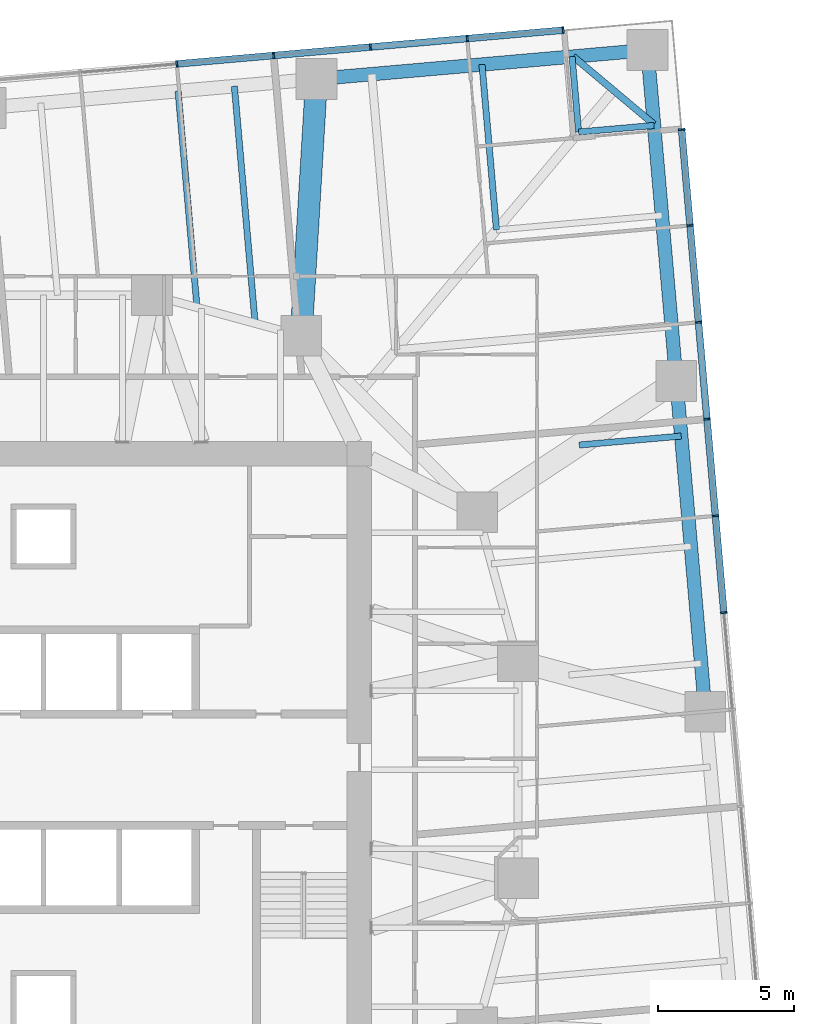
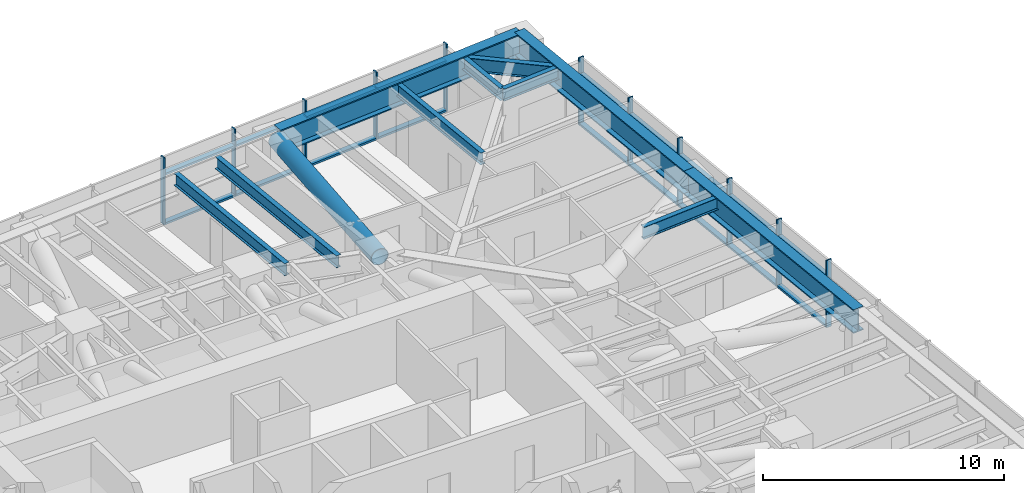
# One storey, part 8 of 18: 30 members, 10 beams, 2 elements without a shape of their own.
"""IFC4 building model written with IfcOpenShell, lengths in metres."""

from ifc_helpers import new_model, si_unit, direction, frame, origin, origin_2d, place, context, subcontext, project, spatial, rectangle, hollow_circle, i_section, extrude, material, material_profile, profile_set, type_object, element, aggregate, save


model = new_model("IFC4")

# Units and contexts
model_context = context("Model", 3, precision=1e-05, world=origin(), true_north=direction((0.0, 1.0)))
body_context = subcontext(model_context, "Body", "Model", "MODEL_VIEW")
ifc_project = project(units=[si_unit("LENGTHUNIT", "METRE"), si_unit("AREAUNIT", "SQUARE_METRE"), si_unit("VOLUMEUNIT", "CUBIC_METRE"), si_unit("PLANEANGLEUNIT", "RADIAN"), si_unit("MASSUNIT", "GRAM", prefix="KILO")], contexts=[model_context])

# Site, building, storey
site_placement = place(None, origin())
site = spatial("IfcSite", under=ifc_project, at=site_placement, CompositionType="ELEMENT")
building_placement = place(site_placement, origin())
building = spatial("IfcBuilding", under=site, at=building_placement, Name="Torsade Residences", CompositionType="ELEMENT")
storey_placement = place(building_placement, frame((0.0, 0.0, 71.0)))
storey = spatial("IfcBuildingStorey", under=building, at=storey_placement, Name="L19", CompositionType="ELEMENT", Elevation=71.0)

# Beam
ifc_material_1 = material(Name="Steel grade 300", Category="steel")
ifc_material_profile_1 = material_profile(ifc_material_1, i_section(OverallWidth=0.25, OverallDepth=0.699951171875, WebThickness=0.010009765625, FlangeThickness=0.02001953125, at=origin_2d()), Name="700WB130")
ifc_profile_set_1 = profile_set([ifc_material_profile_1], Name="Steel grade 300")
beam_type_1 = type_object("IfcBeamType", Name="CORNER TRIMMER 700WB130", PredefinedType="BEAM", material=ifc_profile_set_1)
beam_1_placement = place(storey_placement, frame((59.531982421875, 56.302490234375, 2.85009765625), z_axis=(0.766030001697, -0.642804819911, 0.0), x_axis=(0.642804819911, 0.766030001697, 0.0)))
element("IfcBeam", 1, at=beam_1_placement, inside=storey, type_object=beam_type_1, Name="Corner trimmer 09 L20", PredefinedType="BEAM", context=body_context, shape_type="SweptSolid", body=[
    extrude(i_section(OverallWidth=0.25, OverallDepth=0.699951171875, WebThickness=0.010009765625, FlangeThickness=0.02001953125, at=origin_2d()), origin(), (0.0, 0.0, 1.0), 3.88916015625),
])

# Curtain wall, members
ifc_material_2 = material(Name="Aluminium and glass", Category="aluminium")
curtain_wall_type = type_object("IfcCurtainWallType", Name="FRITTED GLASS CURTAIN WALL LOW ZONE", PredefinedType="NOTDEFINED", material=ifc_material_2)
curtain_wall_1_placement = place(storey_placement, origin())
curtain_wall_1 = element("IfcCurtainWall", 2, at=curtain_wall_1_placement, inside=storey, type_object=curtain_wall_type, Name="Curtain wall L19 face 4", PredefinedType="NOTDEFINED")
ifc_material_3 = material(Name="Aluminium mullion", Category="aluminium")
ifc_material_profile_2 = material_profile(ifc_material_3, rectangle(XDim=0.25, YDim=0.06494140625, at=origin_2d()), Name="CURTAIN WALL MULLION 250x65")
ifc_profile_set_2 = profile_set([ifc_material_profile_2], Name="Aluminium mullion")
member_type_1 = type_object("IfcMemberType", Name="CURTAIN WALL MULLION 250x65", PredefinedType="MULLION", material=ifc_profile_set_2)
member_1_placement = place(storey_placement, frame((65.090576171875, 35.792236328125, 0.0), z_axis=(0.0, 0.0, 1.0), x_axis=(-0.996194697964, -0.087155744208, 0.0)))
member_1 = element("IfcMember", 3, at=member_1_placement, type_object=member_type_1, Name="Mullion 8", PredefinedType="MULLION", context=body_context, shape_type="SweptSolid", body=[
    extrude(rectangle(XDim=0.25, YDim=0.06494140625, at=origin_2d()), origin(), (0.0, 0.0, 1.0), 3.39990234375),
])
member_2_placement = place(storey_placement, frame((64.7783203125, 39.36181640625, 0.0), z_axis=(0.0, 0.0, 1.0), x_axis=(-0.996194697964, -0.087155744208, 0.0)))
member_2 = element("IfcMember", 4, at=member_2_placement, type_object=member_type_1, Name="Mullion 9", PredefinedType="MULLION", context=body_context, shape_type="SweptSolid", body=[
    extrude(rectangle(XDim=0.25, YDim=0.06494140625, at=origin_2d()), origin(), (0.0, 0.0, 1.0), 3.39990234375),
])
member_3_placement = place(storey_placement, frame((64.466064453125, 42.931640625, 0.0), z_axis=(0.0, 0.0, 1.0), x_axis=(-0.996194697964, -0.087155744208, 0.0)))
member_3 = element("IfcMember", 5, at=member_3_placement, type_object=member_type_1, Name="Mullion 10", PredefinedType="MULLION", context=body_context, shape_type="SweptSolid", body=[
    extrude(rectangle(XDim=0.25, YDim=0.06494140625, at=origin_2d()), origin(), (0.0, 0.0, 1.0), 3.39990234375),
])
member_4_placement = place(storey_placement, frame((64.15380859375, 46.501220703125, 0.0), z_axis=(0.0, 0.0, 1.0), x_axis=(-0.996194697964, -0.087155744208, 0.0)))
member_4 = element("IfcMember", 6, at=member_4_placement, type_object=member_type_1, Name="Mullion 11", PredefinedType="MULLION", context=body_context, shape_type="SweptSolid", body=[
    extrude(rectangle(XDim=0.25, YDim=0.06494140625, at=origin_2d()), origin(), (0.0, 0.0, 1.0), 3.39990234375),
])
member_5_placement = place(storey_placement, frame((63.84130859375, 50.071044921875, 0.0), z_axis=(0.0, 0.0, 1.0), x_axis=(-0.996194697964, -0.087155744208, 0.0)))
member_5 = element("IfcMember", 7, at=member_5_placement, type_object=member_type_1, Name="Mullion 12", PredefinedType="MULLION", context=body_context, shape_type="SweptSolid", body=[
    extrude(rectangle(XDim=0.25, YDim=0.06494140625, at=origin_2d()), origin(), (0.0, 0.0, 1.0), 3.39990234375),
])
member_6_placement = place(storey_placement, frame((63.531982421875, 53.6083984375, 0.0), z_axis=(0.0, 0.0, 1.0), x_axis=(-0.996194697964, -0.087155744208, 0.0)))
member_6 = element("IfcMember", 8, at=member_6_placement, type_object=member_type_1, Name="Mullion 13", PredefinedType="MULLION", context=body_context, shape_type="SweptSolid", body=[
    extrude(rectangle(XDim=0.25, YDim=0.06494140625, at=origin_2d()), origin(), (0.0, 0.0, 1.0), 3.39990234375),
])

curtain_wall_2_placement = place(storey_placement, origin())
curtain_wall_2 = element("IfcCurtainWall", 9, at=curtain_wall_2_placement, inside=storey, type_object=curtain_wall_type, Name="Curtain wall L19 face 7", PredefinedType="NOTDEFINED")
member_7_placement = place(storey_placement, frame((59.163330078125, 57.27392578125, 0.0), z_axis=(0.0, 0.0, 1.0), x_axis=(0.087155744208, -0.996194697964, 0.0)))
member_7 = element("IfcMember", 10, at=member_7_placement, type_object=member_type_1, Name="Mullion 1", PredefinedType="MULLION", context=body_context, shape_type="SweptSolid", body=[
    extrude(rectangle(XDim=0.25, YDim=0.06494140625, at=origin_2d()), origin(), (0.0, 0.0, 1.0), 3.39990234375),
])
member_8_placement = place(storey_placement, frame((55.6259765625, 56.964599609375, 0.0), z_axis=(0.0, 0.0, 1.0), x_axis=(0.087155744208, -0.996194697964, 0.0)))
member_8 = element("IfcMember", 11, at=member_8_placement, type_object=member_type_1, Name="Mullion 2", PredefinedType="MULLION", context=body_context, shape_type="SweptSolid", body=[
    extrude(rectangle(XDim=0.25, YDim=0.06494140625, at=origin_2d()), origin(), (0.0, 0.0, 1.0), 3.39990234375),
])
member_9_placement = place(storey_placement, frame((52.056396484375, 56.652099609375, 0.0), z_axis=(0.0, 0.0, 1.0), x_axis=(0.087155744208, -0.996194697964, 0.0)))
member_9 = element("IfcMember", 12, at=member_9_placement, type_object=member_type_1, Name="Mullion 3", PredefinedType="MULLION", context=body_context, shape_type="SweptSolid", body=[
    extrude(rectangle(XDim=0.25, YDim=0.06494140625, at=origin_2d()), origin(), (0.0, 0.0, 1.0), 3.39990234375),
])
member_10_placement = place(storey_placement, frame((48.486572265625, 56.33984375, 0.0), z_axis=(0.0, 0.0, 1.0), x_axis=(0.087155744208, -0.996194697964, 0.0)))
member_10 = element("IfcMember", 13, at=member_10_placement, type_object=member_type_1, Name="Mullion 4", PredefinedType="MULLION", context=body_context, shape_type="SweptSolid", body=[
    extrude(rectangle(XDim=0.25, YDim=0.06494140625, at=origin_2d()), origin(), (0.0, 0.0, 1.0), 3.39990234375),
])
member_11_placement = place(storey_placement, frame((44.9169921875, 56.027587890625, 0.0), z_axis=(0.0, 0.0, 1.0), x_axis=(0.087155744208, -0.996194697964, 0.0)))
member_11 = element("IfcMember", 14, at=member_11_placement, type_object=member_type_1, Name="Mullion 5", PredefinedType="MULLION", context=body_context, shape_type="SweptSolid", body=[
    extrude(rectangle(XDim=0.25, YDim=0.06494140625, at=origin_2d()), origin(), (0.0, 0.0, 1.0), 3.39990234375),
])

# Member
ifc_material_4 = material(Name="Aluminium transom", Category="aluminium")
ifc_material_profile_3 = material_profile(ifc_material_4, rectangle(XDim=0.25, YDim=0.10009765625, at=origin_2d()), Name="CURTAIN WALL TRANSOM 250x100")
ifc_profile_set_3 = profile_set([ifc_material_profile_3], Name="Aluminium transom")
member_type_2 = type_object("IfcMemberType", Name="CURTAIN WALL TRANSOM 250x100", PredefinedType="USERDEFINED", material=ifc_profile_set_3)
member_12_placement = place(storey_placement, frame((65.087890625, 35.824462890625, 0.050048828125), z_axis=(-0.08715059597, 0.996195148363, 0.0), x_axis=(-0.996195148363, -0.08715059597, 0.0)))
member_12 = element("IfcMember", 15, at=member_12_placement, type_object=member_type_2, Name="Transom 8.1", ObjectType="TRANSOM", PredefinedType="USERDEFINED", context=body_context, shape_type="SweptSolid", body=[
    extrude(rectangle(XDim=0.25, YDim=0.10009765625, at=origin_2d()), origin(), (0.0, 0.0, 1.0), 3.5185546875),
])

member_13_placement = place(storey_placement, frame((65.087890625, 35.824462890625, 2.550048828125), z_axis=(-0.08715059597, 0.996195148363, 0.0), x_axis=(-0.996195148363, -0.08715059597, 0.0)))
member_13 = element("IfcMember", 16, at=member_13_placement, type_object=member_type_2, Name="Transom 8.2", ObjectType="TRANSOM", PredefinedType="USERDEFINED", context=body_context, shape_type="SweptSolid", body=[
    extrude(rectangle(XDim=0.25, YDim=0.10009765625, at=origin_2d()), origin(), (0.0, 0.0, 1.0), 3.5185546875),
])

member_14_placement = place(storey_placement, frame((64.775634765625, 39.394287109375, 0.050048828125), z_axis=(-0.087156620531, 0.996194621295, 0.0), x_axis=(-0.996194621295, -0.087156620531, 0.0)))
member_14 = element("IfcMember", 17, at=member_14_placement, type_object=member_type_2, Name="Transom 9.1", ObjectType="TRANSOM", PredefinedType="USERDEFINED", context=body_context, shape_type="SweptSolid", body=[
    extrude(rectangle(XDim=0.25, YDim=0.10009765625, at=origin_2d()), origin(), (0.0, 0.0, 1.0), 3.518310546875),
])

member_15_placement = place(storey_placement, frame((64.775634765625, 39.394287109375, 2.550048828125), z_axis=(-0.087156620531, 0.996194621295, 0.0), x_axis=(-0.996194621295, -0.087156620531, 0.0)))
member_15 = element("IfcMember", 18, at=member_15_placement, type_object=member_type_2, Name="Transom 9.2", ObjectType="TRANSOM", PredefinedType="USERDEFINED", context=body_context, shape_type="SweptSolid", body=[
    extrude(rectangle(XDim=0.25, YDim=0.10009765625, at=origin_2d()), origin(), (0.0, 0.0, 1.0), 3.518310546875),
])

member_16_placement = place(storey_placement, frame((64.463134765625, 42.9638671875, 0.050048828125), z_axis=(-0.08715059597, 0.996195148363, 0.0), x_axis=(-0.996195148363, -0.08715059597, 0.0)))
member_16 = element("IfcMember", 19, at=member_16_placement, type_object=member_type_2, Name="Transom 10.1", ObjectType="TRANSOM", PredefinedType="USERDEFINED", context=body_context, shape_type="SweptSolid", body=[
    extrude(rectangle(XDim=0.25, YDim=0.10009765625, at=origin_2d()), origin(), (0.0, 0.0, 1.0), 3.5185546875),
])

member_17_placement = place(storey_placement, frame((64.463134765625, 42.9638671875, 2.550048828125), z_axis=(-0.08715059597, 0.996195148363, 0.0), x_axis=(-0.996195148363, -0.08715059597, 0.0)))
member_17 = element("IfcMember", 20, at=member_17_placement, type_object=member_type_2, Name="Transom 10.2", ObjectType="TRANSOM", PredefinedType="USERDEFINED", context=body_context, shape_type="SweptSolid", body=[
    extrude(rectangle(XDim=0.25, YDim=0.10009765625, at=origin_2d()), origin(), (0.0, 0.0, 1.0), 3.5185546875),
])

member_18_placement = place(storey_placement, frame((64.15087890625, 46.53369140625, 0.050048828125), z_axis=(-0.087156620531, 0.996194621295, 0.0), x_axis=(-0.996194621295, -0.087156620531, 0.0)))
member_18 = element("IfcMember", 21, at=member_18_placement, type_object=member_type_2, Name="Transom 11.1", ObjectType="TRANSOM", PredefinedType="USERDEFINED", context=body_context, shape_type="SweptSolid", body=[
    extrude(rectangle(XDim=0.25, YDim=0.10009765625, at=origin_2d()), origin(), (0.0, 0.0, 1.0), 3.518310546875),
])

member_19_placement = place(storey_placement, frame((64.15087890625, 46.53369140625, 2.550048828125), z_axis=(-0.087156620531, 0.996194621295, 0.0), x_axis=(-0.996194621295, -0.087156620531, 0.0)))
member_19 = element("IfcMember", 22, at=member_19_placement, type_object=member_type_2, Name="Transom 11.2", ObjectType="TRANSOM", PredefinedType="USERDEFINED", context=body_context, shape_type="SweptSolid", body=[
    extrude(rectangle(XDim=0.25, YDim=0.10009765625, at=origin_2d()), origin(), (0.0, 0.0, 1.0), 3.518310546875),
])

member_20_placement = place(storey_placement, frame((63.838623046875, 50.103271484375, 0.050048828125), z_axis=(-0.08719475177, 0.996191284475, 0.0), x_axis=(-0.996191284475, -0.08719475177, 0.0)))
member_20 = element("IfcMember", 23, at=member_20_placement, type_object=member_type_2, Name="Transom 12.1", ObjectType="TRANSOM", PredefinedType="USERDEFINED", context=body_context, shape_type="SweptSolid", body=[
    extrude(rectangle(XDim=0.25, YDim=0.10009765625, at=origin_2d()), origin(), (0.0, 0.0, 1.0), 3.48583984375),
])

member_21_placement = place(storey_placement, frame((63.838623046875, 50.103271484375, 2.550048828125), z_axis=(-0.08719475177, 0.996191284475, 0.0), x_axis=(-0.996191284475, -0.08719475177, 0.0)))
member_21 = element("IfcMember", 24, at=member_21_placement, type_object=member_type_2, Name="Transom 12.2", ObjectType="TRANSOM", PredefinedType="USERDEFINED", context=body_context, shape_type="SweptSolid", body=[
    extrude(rectangle(XDim=0.25, YDim=0.10009765625, at=origin_2d()), origin(), (0.0, 0.0, 1.0), 3.48583984375),
])

aggregate(curtain_wall_1, [member_1, member_2, member_3, member_4, member_5, member_6, member_12, member_13, member_14, member_15, member_16, member_17, member_18, member_19, member_20, member_21])

member_22_placement = place(storey_placement, frame((59.130859375, 57.271240234375, 0.050048828125), z_axis=(-0.996190751941, -0.0872008357, 0.0), x_axis=(0.0872008357, -0.996190751941, 0.0)))
member_22 = element("IfcMember", 25, at=member_22_placement, type_object=member_type_2, Name="Transom 1.1", ObjectType="TRANSOM", PredefinedType="USERDEFINED", context=body_context, shape_type="SweptSolid", body=[
    extrude(rectangle(XDim=0.25, YDim=0.10009765625, at=origin_2d()), origin(), (0.0, 0.0, 1.0), 3.485595703125),
])

member_23_placement = place(storey_placement, frame((59.130859375, 57.271240234375, 2.550048828125), z_axis=(-0.996190751941, -0.0872008357, 0.0), x_axis=(0.0872008357, -0.996190751941, 0.0)))
member_23 = element("IfcMember", 26, at=member_23_placement, type_object=member_type_2, Name="Transom 1.2", ObjectType="TRANSOM", PredefinedType="USERDEFINED", context=body_context, shape_type="SweptSolid", body=[
    extrude(rectangle(XDim=0.25, YDim=0.10009765625, at=origin_2d()), origin(), (0.0, 0.0, 1.0), 3.485595703125),
])

member_24_placement = place(storey_placement, frame((55.59375, 56.961669921875, 0.050048828125), z_axis=(-0.996195148363, -0.08715059597, 0.0), x_axis=(0.08715059597, -0.996195148363, 0.0)))
member_24 = element("IfcMember", 27, at=member_24_placement, type_object=member_type_2, Name="Transom 2.1", ObjectType="TRANSOM", PredefinedType="USERDEFINED", context=body_context, shape_type="SweptSolid", body=[
    extrude(rectangle(XDim=0.25, YDim=0.10009765625, at=origin_2d()), origin(), (0.0, 0.0, 1.0), 3.5185546875),
])

member_25_placement = place(storey_placement, frame((55.59375, 56.961669921875, 2.550048828125), z_axis=(-0.996195148363, -0.08715059597, 0.0), x_axis=(0.08715059597, -0.996195148363, 0.0)))
member_25 = element("IfcMember", 28, at=member_25_placement, type_object=member_type_2, Name="Transom 2.2", ObjectType="TRANSOM", PredefinedType="USERDEFINED", context=body_context, shape_type="SweptSolid", body=[
    extrude(rectangle(XDim=0.25, YDim=0.10009765625, at=origin_2d()), origin(), (0.0, 0.0, 1.0), 3.5185546875),
])

member_26_placement = place(storey_placement, frame((52.02392578125, 56.6494140625, 0.050048828125), z_axis=(-0.996194621295, -0.087156620531, 0.0), x_axis=(0.087156620531, -0.996194621295, 0.0)))
member_26 = element("IfcMember", 29, at=member_26_placement, type_object=member_type_2, Name="Transom 3.1", ObjectType="TRANSOM", PredefinedType="USERDEFINED", context=body_context, shape_type="SweptSolid", body=[
    extrude(rectangle(XDim=0.25, YDim=0.10009765625, at=origin_2d()), origin(), (0.0, 0.0, 1.0), 3.518310546875),
])

member_27_placement = place(storey_placement, frame((52.02392578125, 56.6494140625, 2.550048828125), z_axis=(-0.996194621295, -0.087156620531, 0.0), x_axis=(0.087156620531, -0.996194621295, 0.0)))
member_27 = element("IfcMember", 30, at=member_27_placement, type_object=member_type_2, Name="Transom 3.2", ObjectType="TRANSOM", PredefinedType="USERDEFINED", context=body_context, shape_type="SweptSolid", body=[
    extrude(rectangle(XDim=0.25, YDim=0.10009765625, at=origin_2d()), origin(), (0.0, 0.0, 1.0), 3.518310546875),
])

member_28_placement = place(storey_placement, frame((48.454345703125, 56.337158203125, 0.050048828125), z_axis=(-0.996195148363, -0.08715059597, 0.0), x_axis=(0.08715059597, -0.996195148363, 0.0)))
member_28 = element("IfcMember", 31, at=member_28_placement, type_object=member_type_2, Name="Transom 4.1", ObjectType="TRANSOM", PredefinedType="USERDEFINED", context=body_context, shape_type="SweptSolid", body=[
    extrude(rectangle(XDim=0.25, YDim=0.10009765625, at=origin_2d()), origin(), (0.0, 0.0, 1.0), 3.5185546875),
])

member_29_placement = place(storey_placement, frame((48.454345703125, 56.337158203125, 2.550048828125), z_axis=(-0.996195148363, -0.08715059597, 0.0), x_axis=(0.08715059597, -0.996195148363, 0.0)))
member_29 = element("IfcMember", 32, at=member_29_placement, type_object=member_type_2, Name="Transom 4.2", ObjectType="TRANSOM", PredefinedType="USERDEFINED", context=body_context, shape_type="SweptSolid", body=[
    extrude(rectangle(XDim=0.25, YDim=0.10009765625, at=origin_2d()), origin(), (0.0, 0.0, 1.0), 3.5185546875),
])

aggregate(curtain_wall_2, [member_7, member_8, member_9, member_10, member_11, member_22, member_23, member_24, member_25, member_26, member_27, member_28, member_29])

# Beams
ifc_material_5 = material(Name="Steel grade 300", Category="steel")
ifc_material_profile_4 = material_profile(ifc_material_5, i_section(OverallWidth=0.22900390625, OverallDepth=0.612060546875, WebThickness=0.011962890625, FlangeThickness=0.01953125, FilletRadius=0.013916015625, at=origin_2d()), Name="610UB125")
ifc_profile_set_4 = profile_set([ifc_material_profile_4], Name="Steel grade 300")
beam_type_2 = type_object("IfcBeamType", Name="SECONDARY BEAM 610UB125", PredefinedType="JOIST", material=ifc_profile_set_4)
beam_2_placement = place(storey_placement, frame((63.51708984375, 42.3046875, 2.89404296875), z_axis=(-0.996195822288, -0.087142892177, 0.0), x_axis=(0.087142892177, -0.996195822288, 0.0)))
element("IfcBeam", 33, at=beam_2_placement, inside=storey, type_object=beam_type_2, Name="Floor beam FE09 L20", PredefinedType="JOIST", context=body_context, shape_type="SweptSolid", body=[
    extrude(i_section(OverallWidth=0.22900390625, OverallDepth=0.612060546875, WebThickness=0.011962890625, FlangeThickness=0.01953125, FilletRadius=0.013916015625, at=origin_2d()), origin(), (0.0, 0.0, 1.0), 3.776611328125),
])
for number, where, z_axis, x_axis, name in (
    (34, (62.5146484375, 53.760986328125, 2.89404296875), (-0.996199126418, -0.087105111923, 0.0), (0.087105111923, -0.996199126418, 0.0), "Floor beam FE12 L20"),
    (35, (59.490478515625, 56.298828125, 2.89404296875), (0.087105111923, -0.996199126418, 0.0), (0.996199126418, 0.087105111923, 0.0), "Floor beam FN01 L20"),
):
    element("IfcBeam", number, at=place(storey_placement, frame(where, z_axis=z_axis, x_axis=x_axis)), inside=storey, type_object=beam_type_2, Name=name, PredefinedType="JOIST", context=body_context, shape_type="SweptSolid", body=[
        extrude(i_section(OverallWidth=0.22900390625, OverallDepth=0.612060546875, WebThickness=0.011962890625, FlangeThickness=0.01953125, FilletRadius=0.013916015625, at=origin_2d()), origin(), (0.0, 0.0, 1.0), 2.79150390625),
    ])
beam_3_placement = place(storey_placement, frame((56.169677734375, 56.00830078125, 2.89404296875), z_axis=(0.087171400335, -0.996193328106, 0.0), x_axis=(0.996193328106, 0.087171400335, 0.0)))
element("IfcBeam", 36, at=beam_3_placement, inside=storey, type_object=beam_type_2, Name="Floor beam FN02 L20", PredefinedType="JOIST", context=body_context, shape_type="SweptSolid", body=[
    extrude(i_section(OverallWidth=0.22900390625, OverallDepth=0.612060546875, WebThickness=0.011962890625, FlangeThickness=0.01953125, FilletRadius=0.013916015625, at=origin_2d()), origin(), (0.0, 0.0, 1.0), 6.125244140625),
])
beam_4_placement = place(storey_placement, frame((47.0380859375, 55.209228515625, 2.89404296875), z_axis=(0.087145563964, -0.996195588568, 0.0), x_axis=(0.996195588568, 0.087145563964, 0.0)))
element("IfcBeam", 37, at=beam_4_placement, inside=storey, type_object=beam_type_2, Name="Floor beam FN04 L20", PredefinedType="JOIST", context=body_context, shape_type="SweptSolid", body=[
    extrude(i_section(OverallWidth=0.22900390625, OverallDepth=0.612060546875, WebThickness=0.011962890625, FlangeThickness=0.01953125, FilletRadius=0.013916015625, at=origin_2d()), origin(), (0.0, 0.0, 1.0), 8.780029296875),
])
beam_5_placement = place(storey_placement, frame((44.962646484375, 55.02783203125, 2.89404296875), z_axis=(0.087158255311, -0.996194478268, 0.0), x_axis=(0.996194478268, 0.087158255311, 0.0)))
element("IfcBeam", 38, at=beam_5_placement, inside=storey, type_object=beam_type_2, Name="Floor beam FN05 L20", PredefinedType="JOIST", context=body_context, shape_type="SweptSolid", body=[
    extrude(i_section(OverallWidth=0.22900390625, OverallDepth=0.612060546875, WebThickness=0.011962890625, FlangeThickness=0.01953125, FilletRadius=0.013916015625, at=origin_2d()), origin(), (0.0, 0.0, 1.0), 8.01123046875),
])

# Member
ifc_material_6 = material(Name="Steel grade 450", Category="steel")
ifc_material_profile_5 = material_profile(ifc_material_6, hollow_circle(Radius=0.406494140625, WallThickness=0.02490234375, at=origin_2d()), Name="813.0x25.0CHS")
ifc_profile_set_5 = profile_set([ifc_material_profile_5], Name="Steel grade 450")
member_type_3 = type_object("IfcMemberType", Name="TRANSFER FLOOR STRUT 813.0x25.0CHS", PredefinedType="STRUT", material=ifc_profile_set_5)
member_30_placement = place(storey_placement, frame((50.068115234375, 55.474365234375, 2.800048828125), z_axis=(-0.05985589598, -0.998207028485, 0.0), x_axis=(0.998207028485, -0.05985589598, 0.0)))
element("IfcMember", 39, at=member_30_placement, inside=storey, type_object=member_type_3, Name="Transfer floor strut TT2 bottom 10IR04", PredefinedType="STRUT", context=body_context, shape_type="SweptSolid", body=[
    extrude(hollow_circle(Radius=0.406494140625, WallThickness=0.02490234375, at=origin_2d()), origin(), (0.0, 0.0, 1.0), 9.491455078125),
])

# Beams
ifc_material_7 = material(Name="Steel grade 350", Category="steel")
ifc_material_profile_6 = material_profile(ifc_material_7, i_section(OverallWidth=0.5, OverallDepth=1.199951171875, WebThickness=0.035888671875, FlangeThickness=0.06005859375, at=origin_2d()), Name="1200x500x60x36WPG")
ifc_profile_set_6 = profile_set([ifc_material_profile_6], Name="Steel grade 350")
beam_type_3 = type_object("IfcBeamType", Name="TRANSFER TRUSS CHORD 1200x500x60x36WPG", PredefinedType="USERDEFINED", material=ifc_profile_set_6)
for number, where, z_axis, x_axis, name in (
    (40, (64.40673828125, 32.13525390625, 2.800048828125), (-0.08715335259, 0.996194907201, 0.0), (-0.996194907201, -0.08715335259, 0.0), "Transfer truss TT2 bottom chord 07"),
    (41, (63.339111328125, 44.338623046875, 2.800048828125), (-0.08715335259, 0.996194907201, 0.0), (-0.996194907201, -0.08715335259, 0.0), "Transfer truss TT2 bottom chord 08"),
    (42, (62.271484375, 56.5419921875, 2.800048828125), (-0.996194907201, -0.08715335259, 0.0), (0.08715335259, -0.996194907201, 0.0), "Transfer truss TT2 bottom chord 09"),
):
    element("IfcBeam", number, at=place(storey_placement, frame(where, z_axis=z_axis, x_axis=x_axis)), inside=storey, type_object=beam_type_3, Name=name, ObjectType="TRANSFER TRUSS CHORD", PredefinedType="USERDEFINED", context=body_context, shape_type="SweptSolid", body=[
        extrude(i_section(OverallWidth=0.5, OverallDepth=1.199951171875, WebThickness=0.035888671875, FlangeThickness=0.06005859375, at=origin_2d()), origin(), (0.0, 0.0, 1.0), 12.25),
    ])

save(model, "model.ifc")
